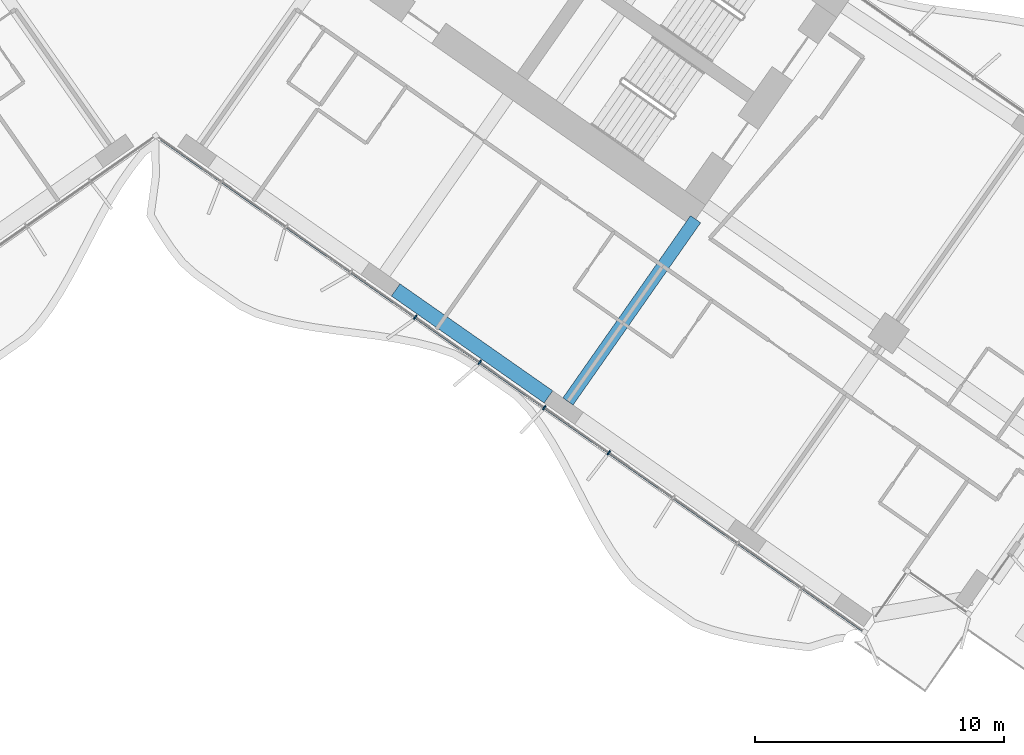
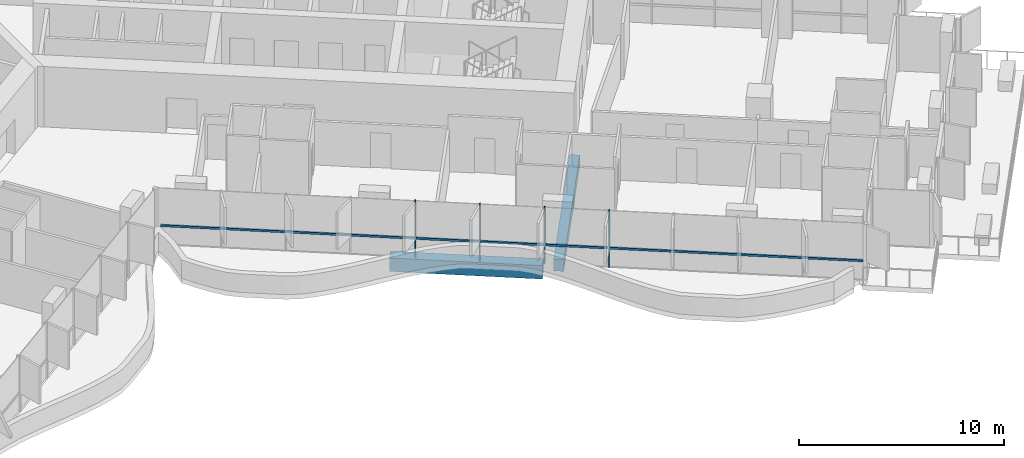
# One storey, part 5 of 25: 5 members, 2 beams, 1 element without a shape of its own.
"""IFC4 building model written with IfcOpenShell, lengths in metres."""

import ifcopenshell
import ifcopenshell.guid

model = None  # the IFC model being written
_history = None  # IfcOwnerHistory: only IFC2X3 demands one
_inside = {}  # id of a spatial element -> (the spatial element, [elements in it])
_under = {}  # id of a project, library or spatial element -> (it, [spatial elements below it])
_declared = {}  # id of a project -> (the project, [libraries it declares])
_typed = {}  # id of a type object -> (the type object, [elements of that type])
_made_of = {}  # id of a material, layer set ... -> (it, [elements and type objects made of it])


def new_model(schema):
    """Start an empty IFC model of exactly this schema.

    Asked for "IFC4X3", IfcOpenShell would pick the latest addendum, in which some entities
    have other attributes; the version numbers below select the first issue.
    IFC2X3 requires an IfcOwnerHistory on every rooted entity: one is made here for all.
    """
    global model, _history
    if schema == "IFC4X3":
        model = ifcopenshell.file(schema_version=(4, 3, 0, 0))
    else:
        model = ifcopenshell.file(schema=schema)
    _inside.clear()
    _under.clear()
    _declared.clear()
    _typed.clear()
    _made_of.clear()
    _history = None
    if model.schema == "IFC2X3":
        org = make("IfcOrganization", Name="unknown")
        user = make(
            "IfcPersonAndOrganization",
            ThePerson=make("IfcPerson", FamilyName="unknown"),
            TheOrganization=org,
        )
        app = make(
            "IfcApplication",
            ApplicationDeveloper=org,
            Version="unknown",
            ApplicationFullName="unknown",
            ApplicationIdentifier="unknown",
        )
        _history = make(
            "IfcOwnerHistory",
            OwningUser=user,
            OwningApplication=app,
            ChangeAction="ADDED",
            CreationDate=0,
        )
    return model


def make(cls, **values):
    """One entity of the class cls with the attributes given. An attribute that is None is left unset."""
    return model.create_entity(
        cls, **{name: value for name, value in values.items() if value is not None}
    )


def rooted(cls, **values):
    """An entity with a GlobalId (a new one), such as an element, a storey or a relation."""
    return make(cls, GlobalId=ifcopenshell.guid.new(), OwnerHistory=_history, **values)


def si_unit(unit_type, name, prefix=None):
    """IfcSIUnit, for example si_unit("LENGTHUNIT", "METRE", prefix="MILLI")."""
    return make("IfcSIUnit", UnitType=unit_type, Prefix=prefix, Name=name)


def assignment(units):
    """IfcUnitAssignment: the units of a project."""
    return None if units is None else make("IfcUnitAssignment", Units=units)


def point(xyz):
    """IfcCartesianPoint."""
    return None if xyz is None else make("IfcCartesianPoint", Coordinates=xyz)


def direction(xyz):
    """IfcDirection."""
    return None if xyz is None else make("IfcDirection", DirectionRatios=xyz)


def frame(location, z_axis=None, x_axis=None):
    """IfcAxis2Placement3D, a coordinate frame: its origin and axes. An axis left out is left unset."""
    return make(
        "IfcAxis2Placement3D",
        Location=point(location),
        Axis=direction(z_axis),
        RefDirection=direction(x_axis),
    )


def frame_2d(location, x_axis=None):
    """IfcAxis2Placement2D, a coordinate frame in the plane: its origin and x axis."""
    return make(
        "IfcAxis2Placement2D", Location=point(location), RefDirection=direction(x_axis)
    )


def origin():
    """The frame at (0, 0, 0) with its axes left unset."""
    return frame((0.0, 0.0, 0.0))


def origin_2d():
    """The frame at (0, 0) in the plane with its x axis left unset."""
    return frame_2d((0.0, 0.0))


def place(relative_to, where):
    """IfcLocalPlacement: puts the frame where relative to a parent placement (None: the world)."""
    return make(
        "IfcLocalPlacement", PlacementRelTo=relative_to, RelativePlacement=where
    )


def context(
    kind, dimensions, precision=None, world=None, true_north=None, identifier=None
):
    """IfcGeometricRepresentationContext, for example the 3D "Model" context."""
    return make(
        "IfcGeometricRepresentationContext",
        ContextIdentifier=identifier,
        ContextType=kind,
        CoordinateSpaceDimension=dimensions,
        Precision=precision,
        WorldCoordinateSystem=world,
        TrueNorth=true_north,
    )


def subcontext(parent, identifier, kind, view, scale=None):
    """IfcGeometricRepresentationSubContext, for example "Body" below "Model"."""
    return make(
        "IfcGeometricRepresentationSubContext",
        ContextIdentifier=identifier,
        ContextType=kind,
        ParentContext=parent,
        TargetScale=scale,
        TargetView=view,
    )


def project(units=None, contexts=None):
    """IfcProject with its units and contexts."""
    return rooted(
        "IfcProject",
        Name="project",
        RepresentationContexts=contexts,
        UnitsInContext=assignment(units),
    )


def spatial(cls, under=None, at=None, **own):
    """A site, building, storey or space (cls), placed at a placement, below another one or the project."""
    s = rooted(cls, ObjectPlacement=at, **own)
    if under is not None:
        _under.setdefault(under.id(), (under, []))[1].append(s)
    return s


def profile(cls, at=None, kind="AREA", **sizes):
    """A parametric profile (cls). Its sizes go by their IFC names, for example OverallWidth=200.0."""
    return make(cls, ProfileType=kind, Position=at, **sizes)


def rectangle(**sizes):
    """IfcRectangleProfileDef."""
    return profile("IfcRectangleProfileDef", **sizes)


def extrude(swept, where, along, depth):
    """IfcExtrudedAreaSolid: the profile swept, set in the frame where, extruded along a direction by depth."""
    return make(
        "IfcExtrudedAreaSolid",
        SweptArea=swept,
        Position=where,
        ExtrudedDirection=direction(along),
        Depth=depth,
    )


def shape(context_of_items, identifier, shape_type, items):
    """IfcShapeRepresentation: the items that make up one representation, for example the "Body"."""
    return make(
        "IfcShapeRepresentation",
        ContextOfItems=context_of_items,
        RepresentationIdentifier=identifier,
        RepresentationType=shape_type,
        Items=items,
    )


def material(Name=None, Category=None):
    """IfcMaterial."""
    return make("IfcMaterial", Name=Name, Category=Category)


def material_profile(
    of_material, cross_section, Name=None, Category=None, Priority=None
):
    """IfcMaterialProfile: a cross section and its material."""
    return make(
        "IfcMaterialProfile",
        Name=Name,
        Material=of_material,
        Profile=cross_section,
        Priority=Priority,
        Category=Category,
    )


def profile_set(profiles, Name=None, composite=None):
    """IfcMaterialProfileSet."""
    return make(
        "IfcMaterialProfileSet",
        Name=Name,
        MaterialProfiles=profiles,
        CompositeProfile=composite,
    )


def made_of(thing, what):
    """Note that an element or type object is made of a material, layer set ...; save() writes the relation."""
    if what is not None:
        _made_of.setdefault(what.id(), (what, []))[1].append(thing)
    return thing


def type_object(cls, material=None, **own):
    """A type object (cls), such as IfcWallType, which elements share."""
    return made_of(rooted(cls, **own), material)


def element(
    cls,
    number,
    at=None,
    inside=None,
    cuts=None,
    type_object=None,
    material=None,
    context=None,
    identifier="Body",
    shape_type=None,
    held_by="IfcProductDefinitionShape",
    body=None,
    shapes=None,
    **own,
):
    """One element of the class cls, such as IfcWall. Its Tag is "e" and its number.

    at: its placement. inside: the storey or other place that contains it. cuts: it is an
    opening in that element (IfcRelVoidsElement). A single representation is given by context,
    identifier, shape_type and body (its items); several are given by shapes. held_by: the class
    of the entity that holds the representations. save() writes the other relations.
    """
    e = rooted(cls, Tag="e%d" % number, ObjectPlacement=at, **own)
    if body is not None:
        shapes = [shape(context, identifier, shape_type, body)]
    if shapes is not None:
        e.Representation = make(held_by, Representations=shapes)
    if inside is not None:
        _inside.setdefault(inside.id(), (inside, []))[1].append(e)
    if cuts is not None:
        rooted(
            "IfcRelVoidsElement", RelatingBuildingElement=cuts, RelatedOpeningElement=e
        )
    if type_object is not None:
        _typed.setdefault(type_object.id(), (type_object, []))[1].append(e)
    return made_of(e, material)


def aggregate(whole, parts):
    """IfcRelAggregates: a whole, such as a stair, and the parts it consists of."""
    return rooted("IfcRelAggregates", RelatingObject=whole, RelatedObjects=parts)


def save(model, path):
    """Write the relations noted so far, then the file.

    IfcRelAggregates (storeys below a building ...), IfcRelContainedInSpatialStructure (elements
    in a storey), IfcRelDefinesByType, IfcRelAssociatesMaterial and IfcRelDeclares: one each for
    every whole, place, type object, material and project.
    """
    for whole, parts in _under.values():
        aggregate(whole, parts)
    for where, things in _inside.values():
        rooted(
            "IfcRelContainedInSpatialStructure",
            RelatedElements=things,
            RelatingStructure=where,
        )
    for kind, things in _typed.values():
        rooted("IfcRelDefinesByType", RelatedObjects=things, RelatingType=kind)
    for what, things in _made_of.values():
        rooted("IfcRelAssociatesMaterial", RelatedObjects=things, RelatingMaterial=what)
    for by, libraries in _declared.values():
        rooted("IfcRelDeclares", RelatingContext=by, RelatedDefinitions=libraries)
    model.write(path)


model = new_model("IFC4")

# Units and contexts
model_context = context("Model", 3, precision=1e-05, world=origin(), true_north=direction((0.0, 1.0)))
body_context = subcontext(model_context, "Body", "Model", "MODEL_VIEW")
ifc_project = project(units=[si_unit("LENGTHUNIT", "METRE"), si_unit("AREAUNIT", "SQUARE_METRE"), si_unit("VOLUMEUNIT", "CUBIC_METRE"), si_unit("PLANEANGLEUNIT", "RADIAN"), si_unit("MASSUNIT", "GRAM", prefix="KILO")], contexts=[model_context])

# Site, building, storey
site_placement = place(None, origin())
site = spatial("IfcSite", under=ifc_project, at=site_placement, CompositionType="ELEMENT")
building_placement = place(site_placement, origin())
building = spatial("IfcBuilding", under=site, at=building_placement, Name="Tel Ilan Convention Tower", CompositionType="ELEMENT")
storey_placement = place(building_placement, frame((0.0, 0.0, 76.10009765625)))
storey = spatial("IfcBuildingStorey", under=building, at=storey_placement, Name="L14", CompositionType="ELEMENT", Elevation=76.10009765625)

# Beams
ifc_material_1 = material(Name="Concrete C40/50", Category="concrete")
ifc_material_profile_1 = material_profile(ifc_material_1, rectangle(XDim=0.5, YDim=0.699951171875, at=origin_2d()), Name="RC 500x700")
ifc_profile_set_1 = profile_set([ifc_material_profile_1], Name="Concrete C40/50")
beam_type_1 = type_object("IfcBeamType", Name="Beam RC 500x700 Concrete C40/50", PredefinedType="BEAM", material=ifc_profile_set_1)
beam_1_placement = place(storey_placement, frame((16.58203125, -23.391357421875, -0.630126953125), z_axis=(0.573584999642, 0.819146048141, 0.0), x_axis=(-0.819146048141, 0.573584999642, 0.0)))
element("IfcBeam", 1, at=beam_1_placement, inside=storey, type_object=beam_type_1, Name="L14 beam E-E-F3-core", PredefinedType="BEAM", context=body_context, shape_type="SweptSolid", body=[
    extrude(rectangle(XDim=0.5, YDim=0.699951171875, at=origin_2d()), origin(), (0.0, 0.0, 1.0), 8.949951171875),
])
ifc_material_2 = material(Name="Concrete C40/50", Category="concrete")
ifc_material_profile_2 = material_profile(ifc_material_2, rectangle(XDim=0.60009765625, YDim=0.800048828125, at=origin_2d()), Name="RC 600x800")
ifc_profile_set_2 = profile_set([ifc_material_profile_2], Name="Concrete C40/50")
beam_type_2 = type_object("IfcBeamType", Name="Beam RC 600x800 Concrete C40/50", PredefinedType="BEAM", material=ifc_profile_set_2)
beam_2_placement = place(storey_placement, frame((9.652099609375, -18.905029296875, -0.68017578125), z_axis=(0.81915238829, -0.573575945067, 0.0), x_axis=(0.573575945067, 0.81915238829, 0.0)))
element("IfcBeam", 2, at=beam_2_placement, inside=storey, type_object=beam_type_2, Name="L14 beam E-E-F2-E-F3", PredefinedType="BEAM", context=body_context, shape_type="SweptSolid", body=[
    extrude(rectangle(XDim=0.60009765625, YDim=0.800048828125, at=origin_2d()), origin(), (0.0, 0.0, 1.0), 7.5),
])

# Curtain wall, members
ifc_material_3 = material(Name="Aluminium, bronze anodised", Category="aluminium")
curtain_wall_type = type_object("IfcCurtainWallType", Name="CW1 UNITISED CURTAIN WALL, HOTEL TINTED GLASS", PredefinedType="NOTDEFINED", material=ifc_material_3)
curtain_wall_placement = place(storey_placement, origin())
curtain_wall = element("IfcCurtainWall", 3, at=curtain_wall_placement, inside=storey, type_object=curtain_wall_type, Name="Curtain wall CW1-14.06", PredefinedType="NOTDEFINED")
ifc_material_4 = material(Name="Aluminium, bronze anodised", Category="aluminium")
ifc_material_profile_3 = material_profile(ifc_material_4, rectangle(XDim=0.06005859375, YDim=0.199951171875, at=origin_2d()), Name="CW MULLION 60x200")
ifc_profile_set_3 = profile_set([ifc_material_profile_3], Name="Aluminium, bronze anodised")
member_type_1 = type_object("IfcMemberType", Name="CW MULLION 60x200", PredefinedType="MULLION", material=ifc_profile_set_3)
member_1_placement = place(storey_placement, frame((10.4375, -20.004638671875, 0.0), z_axis=(0.0, 0.0, 1.0), x_axis=(0.819152044289, -0.573576436351, 0.0)))
member_1 = element("IfcMember", 4, at=member_1_placement, type_object=member_type_1, Name="Mullion", PredefinedType="MULLION", context=body_context, shape_type="SweptSolid", body=[
    extrude(rectangle(XDim=0.06005859375, YDim=0.199951171875, at=origin_2d()), origin(), (0.0, 0.0, 1.0), 3.31982421875),
])
member_2_placement = place(storey_placement, frame((13.03271484375, -21.821533203125, 0.0), z_axis=(0.0, 0.0, 1.0), x_axis=(0.819152044289, -0.573576436351, 0.0)))
member_2 = element("IfcMember", 5, at=member_2_placement, type_object=member_type_1, Name="Mullion", PredefinedType="MULLION", context=body_context, shape_type="SweptSolid", body=[
    extrude(rectangle(XDim=0.06005859375, YDim=0.199951171875, at=origin_2d()), origin(), (0.0, 0.0, 1.0), 3.31982421875),
])
member_3_placement = place(storey_placement, frame((15.627685546875, -23.638671875, 0.0), z_axis=(0.0, 0.0, 1.0), x_axis=(0.819152044289, -0.573576436351, 0.0)))
member_3 = element("IfcMember", 6, at=member_3_placement, type_object=member_type_1, Name="Mullion", PredefinedType="MULLION", context=body_context, shape_type="SweptSolid", body=[
    extrude(rectangle(XDim=0.06005859375, YDim=0.199951171875, at=origin_2d()), origin(), (0.0, 0.0, 1.0), 3.31982421875),
])
member_4_placement = place(storey_placement, frame((18.222900390625, -25.455810546875, 0.0), z_axis=(0.0, 0.0, 1.0), x_axis=(0.819152044289, -0.573576436351, 0.0)))
member_4 = element("IfcMember", 7, at=member_4_placement, type_object=member_type_1, Name="Mullion", PredefinedType="MULLION", context=body_context, shape_type="SweptSolid", body=[
    extrude(rectangle(XDim=0.06005859375, YDim=0.199951171875, at=origin_2d()), origin(), (0.0, 0.0, 1.0), 3.31982421875),
])
ifc_material_5 = material(Name="Aluminium, bronze anodised", Category="aluminium")
ifc_material_profile_4 = material_profile(ifc_material_5, rectangle(XDim=0.10009765625, YDim=0.1201171875, at=origin_2d()), Name="CW TRANSOM 100x120")
ifc_profile_set_4 = profile_set([ifc_material_profile_4], Name="Aluminium, bronze anodised")
member_type_2 = type_object("IfcMemberType", Name="CW TRANSOM 100x120", PredefinedType="USERDEFINED", material=ifc_profile_set_4)
member_5_placement = place(storey_placement, frame((0.22119140625, -12.850830078125, 1.099853515625), z_axis=(0.819151003602, -0.573577922604, 0.0), x_axis=(0.573577922604, 0.819151003602, 0.0)))
member_5 = element("IfcMember", 8, at=member_5_placement, type_object=member_type_2, Name="Transom", ObjectType="TRANSOM", PredefinedType="USERDEFINED", context=body_context, shape_type="SweptSolid", body=[
    extrude(rectangle(XDim=0.10009765625, YDim=0.1201171875, at=origin_2d()), origin(), (0.0, 0.0, 1.0), 34.447998046875),
])
aggregate(curtain_wall, [member_1, member_2, member_3, member_4, member_5])

save(model, "model.ifc")
